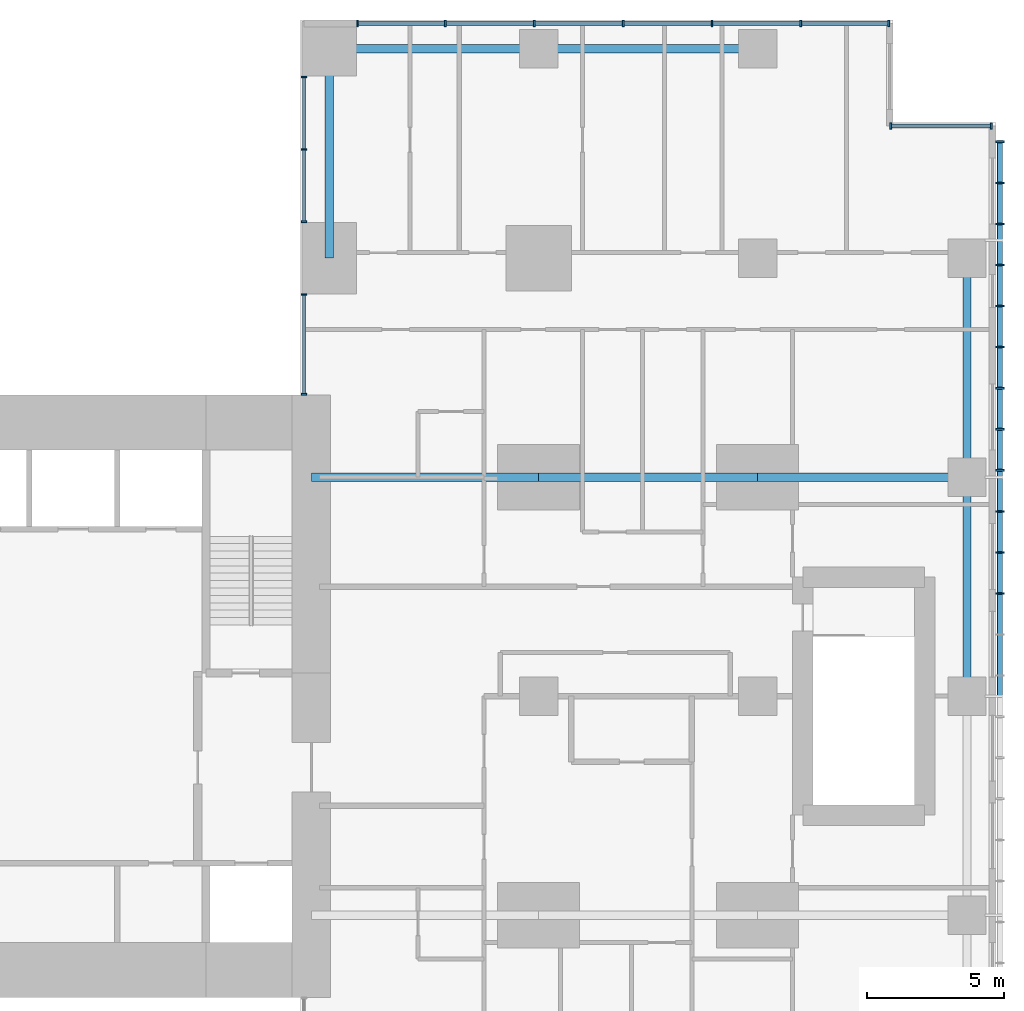
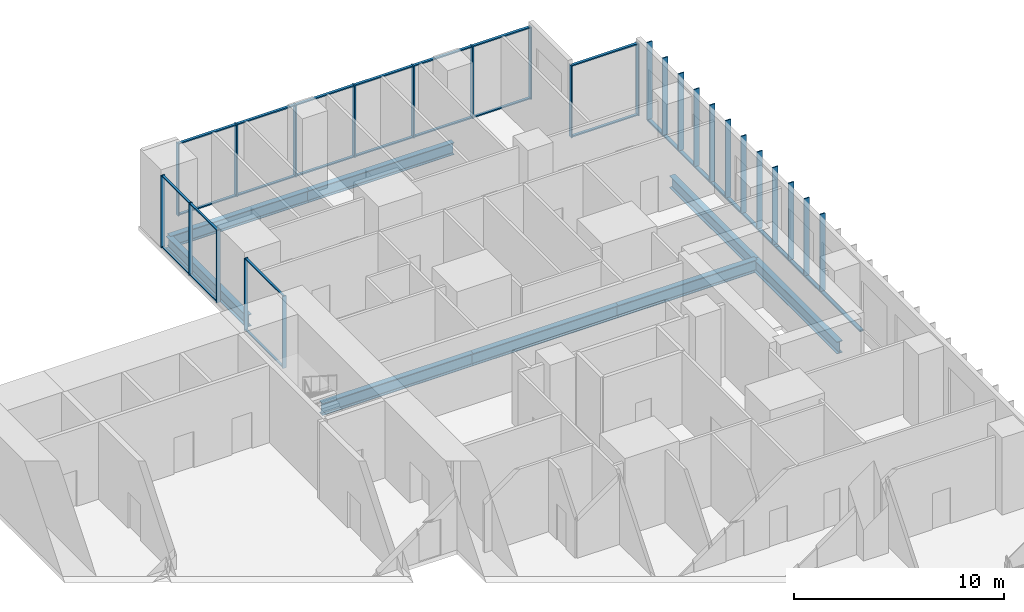
# One storey, part 3 of 11: 48 members, 8 beams, 4 elements without a shape of their own.
"""IFC4 building model written with IfcOpenShell, lengths in metres."""

import ifcopenshell
import ifcopenshell.guid

model = None  # the IFC model being written
_history = None  # IfcOwnerHistory: only IFC2X3 demands one
_inside = {}  # id of a spatial element -> (the spatial element, [elements in it])
_under = {}  # id of a project, library or spatial element -> (it, [spatial elements below it])
_declared = {}  # id of a project -> (the project, [libraries it declares])
_typed = {}  # id of a type object -> (the type object, [elements of that type])
_made_of = {}  # id of a material, layer set ... -> (it, [elements and type objects made of it])


def new_model(schema):
    """Start an empty IFC model of exactly this schema.

    Asked for "IFC4X3", IfcOpenShell would pick the latest addendum, in which some entities
    have other attributes; the version numbers below select the first issue.
    IFC2X3 requires an IfcOwnerHistory on every rooted entity: one is made here for all.
    """
    global model, _history
    if schema == "IFC4X3":
        model = ifcopenshell.file(schema_version=(4, 3, 0, 0))
    else:
        model = ifcopenshell.file(schema=schema)
    _inside.clear()
    _under.clear()
    _declared.clear()
    _typed.clear()
    _made_of.clear()
    _history = None
    if model.schema == "IFC2X3":
        org = make("IfcOrganization", Name="unknown")
        user = make(
            "IfcPersonAndOrganization",
            ThePerson=make("IfcPerson", FamilyName="unknown"),
            TheOrganization=org,
        )
        app = make(
            "IfcApplication",
            ApplicationDeveloper=org,
            Version="unknown",
            ApplicationFullName="unknown",
            ApplicationIdentifier="unknown",
        )
        _history = make(
            "IfcOwnerHistory",
            OwningUser=user,
            OwningApplication=app,
            ChangeAction="ADDED",
            CreationDate=0,
        )
    return model


def make(cls, **values):
    """One entity of the class cls with the attributes given. An attribute that is None is left unset."""
    return model.create_entity(
        cls, **{name: value for name, value in values.items() if value is not None}
    )


def rooted(cls, **values):
    """An entity with a GlobalId (a new one), such as an element, a storey or a relation."""
    return make(cls, GlobalId=ifcopenshell.guid.new(), OwnerHistory=_history, **values)


def si_unit(unit_type, name, prefix=None):
    """IfcSIUnit, for example si_unit("LENGTHUNIT", "METRE", prefix="MILLI")."""
    return make("IfcSIUnit", UnitType=unit_type, Prefix=prefix, Name=name)


def assignment(units):
    """IfcUnitAssignment: the units of a project."""
    return None if units is None else make("IfcUnitAssignment", Units=units)


def point(xyz):
    """IfcCartesianPoint."""
    return None if xyz is None else make("IfcCartesianPoint", Coordinates=xyz)


def direction(xyz):
    """IfcDirection."""
    return None if xyz is None else make("IfcDirection", DirectionRatios=xyz)


def frame(location, z_axis=None, x_axis=None):
    """IfcAxis2Placement3D, a coordinate frame: its origin and axes. An axis left out is left unset."""
    return make(
        "IfcAxis2Placement3D",
        Location=point(location),
        Axis=direction(z_axis),
        RefDirection=direction(x_axis),
    )


def frame_2d(location, x_axis=None):
    """IfcAxis2Placement2D, a coordinate frame in the plane: its origin and x axis."""
    return make(
        "IfcAxis2Placement2D", Location=point(location), RefDirection=direction(x_axis)
    )


def origin():
    """The frame at (0, 0, 0) with its axes left unset."""
    return frame((0.0, 0.0, 0.0))


def origin_2d():
    """The frame at (0, 0) in the plane with its x axis left unset."""
    return frame_2d((0.0, 0.0))


def place(relative_to, where):
    """IfcLocalPlacement: puts the frame where relative to a parent placement (None: the world)."""
    return make(
        "IfcLocalPlacement", PlacementRelTo=relative_to, RelativePlacement=where
    )


def context(
    kind, dimensions, precision=None, world=None, true_north=None, identifier=None
):
    """IfcGeometricRepresentationContext, for example the 3D "Model" context."""
    return make(
        "IfcGeometricRepresentationContext",
        ContextIdentifier=identifier,
        ContextType=kind,
        CoordinateSpaceDimension=dimensions,
        Precision=precision,
        WorldCoordinateSystem=world,
        TrueNorth=true_north,
    )


def subcontext(parent, identifier, kind, view, scale=None):
    """IfcGeometricRepresentationSubContext, for example "Body" below "Model"."""
    return make(
        "IfcGeometricRepresentationSubContext",
        ContextIdentifier=identifier,
        ContextType=kind,
        ParentContext=parent,
        TargetScale=scale,
        TargetView=view,
    )


def project(units=None, contexts=None):
    """IfcProject with its units and contexts."""
    return rooted(
        "IfcProject",
        Name="project",
        RepresentationContexts=contexts,
        UnitsInContext=assignment(units),
    )


def spatial(cls, under=None, at=None, **own):
    """A site, building, storey or space (cls), placed at a placement, below another one or the project."""
    s = rooted(cls, ObjectPlacement=at, **own)
    if under is not None:
        _under.setdefault(under.id(), (under, []))[1].append(s)
    return s


def profile(cls, at=None, kind="AREA", **sizes):
    """A parametric profile (cls). Its sizes go by their IFC names, for example OverallWidth=200.0."""
    return make(cls, ProfileType=kind, Position=at, **sizes)


def rectangle(**sizes):
    """IfcRectangleProfileDef."""
    return profile("IfcRectangleProfileDef", **sizes)


def hollow_rectangle(**sizes):
    """IfcRectangleHollowProfileDef."""
    return profile("IfcRectangleHollowProfileDef", **sizes)


def i_section(**sizes):
    """IfcIShapeProfileDef."""
    return profile("IfcIShapeProfileDef", **sizes)


def extrude(swept, where, along, depth):
    """IfcExtrudedAreaSolid: the profile swept, set in the frame where, extruded along a direction by depth."""
    return make(
        "IfcExtrudedAreaSolid",
        SweptArea=swept,
        Position=where,
        ExtrudedDirection=direction(along),
        Depth=depth,
    )


def shape(context_of_items, identifier, shape_type, items):
    """IfcShapeRepresentation: the items that make up one representation, for example the "Body"."""
    return make(
        "IfcShapeRepresentation",
        ContextOfItems=context_of_items,
        RepresentationIdentifier=identifier,
        RepresentationType=shape_type,
        Items=items,
    )


def material(Name=None, Category=None):
    """IfcMaterial."""
    return make("IfcMaterial", Name=Name, Category=Category)


def layer(
    of_material, thickness, ventilated=None, Name=None, Category=None, Priority=None
):
    """IfcMaterialLayer: one layer of a wall or slab, of a material (None: an air gap)."""
    return make(
        "IfcMaterialLayer",
        Material=of_material,
        LayerThickness=thickness,
        IsVentilated=ventilated,
        Name=Name,
        Category=Category,
        Priority=Priority,
    )


def layer_set(layers, Name=None):
    """IfcMaterialLayerSet."""
    return make("IfcMaterialLayerSet", MaterialLayers=layers, LayerSetName=Name)


def material_profile(
    of_material, cross_section, Name=None, Category=None, Priority=None
):
    """IfcMaterialProfile: a cross section and its material."""
    return make(
        "IfcMaterialProfile",
        Name=Name,
        Material=of_material,
        Profile=cross_section,
        Priority=Priority,
        Category=Category,
    )


def profile_set(profiles, Name=None, composite=None):
    """IfcMaterialProfileSet."""
    return make(
        "IfcMaterialProfileSet",
        Name=Name,
        MaterialProfiles=profiles,
        CompositeProfile=composite,
    )


def made_of(thing, what):
    """Note that an element or type object is made of a material, layer set ...; save() writes the relation."""
    if what is not None:
        _made_of.setdefault(what.id(), (what, []))[1].append(thing)
    return thing


def type_object(cls, material=None, **own):
    """A type object (cls), such as IfcWallType, which elements share."""
    return made_of(rooted(cls, **own), material)


def element(
    cls,
    number,
    at=None,
    inside=None,
    cuts=None,
    type_object=None,
    material=None,
    context=None,
    identifier="Body",
    shape_type=None,
    held_by="IfcProductDefinitionShape",
    body=None,
    shapes=None,
    **own,
):
    """One element of the class cls, such as IfcWall. Its Tag is "e" and its number.

    at: its placement. inside: the storey or other place that contains it. cuts: it is an
    opening in that element (IfcRelVoidsElement). A single representation is given by context,
    identifier, shape_type and body (its items); several are given by shapes. held_by: the class
    of the entity that holds the representations. save() writes the other relations.
    """
    e = rooted(cls, Tag="e%d" % number, ObjectPlacement=at, **own)
    if body is not None:
        shapes = [shape(context, identifier, shape_type, body)]
    if shapes is not None:
        e.Representation = make(held_by, Representations=shapes)
    if inside is not None:
        _inside.setdefault(inside.id(), (inside, []))[1].append(e)
    if cuts is not None:
        rooted(
            "IfcRelVoidsElement", RelatingBuildingElement=cuts, RelatedOpeningElement=e
        )
    if type_object is not None:
        _typed.setdefault(type_object.id(), (type_object, []))[1].append(e)
    return made_of(e, material)


def aggregate(whole, parts):
    """IfcRelAggregates: a whole, such as a stair, and the parts it consists of."""
    return rooted("IfcRelAggregates", RelatingObject=whole, RelatedObjects=parts)


def save(model, path):
    """Write the relations noted so far, then the file.

    IfcRelAggregates (storeys below a building ...), IfcRelContainedInSpatialStructure (elements
    in a storey), IfcRelDefinesByType, IfcRelAssociatesMaterial and IfcRelDeclares: one each for
    every whole, place, type object, material and project.
    """
    for whole, parts in _under.values():
        aggregate(whole, parts)
    for where, things in _inside.values():
        rooted(
            "IfcRelContainedInSpatialStructure",
            RelatedElements=things,
            RelatingStructure=where,
        )
    for kind, things in _typed.values():
        rooted("IfcRelDefinesByType", RelatedObjects=things, RelatingType=kind)
    for what, things in _made_of.values():
        rooted("IfcRelAssociatesMaterial", RelatedObjects=things, RelatingMaterial=what)
    for by, libraries in _declared.values():
        rooted("IfcRelDeclares", RelatingContext=by, RelatedDefinitions=libraries)
    model.write(path)


model = new_model("IFC4")

# Units and contexts
model_context = context("Model", 3, precision=1e-05, world=origin(), true_north=direction((0.0, 1.0)))
body_context = subcontext(model_context, "Body", "Model", "MODEL_VIEW")
ifc_project = project(units=[si_unit("LENGTHUNIT", "METRE"), si_unit("AREAUNIT", "SQUARE_METRE"), si_unit("VOLUMEUNIT", "CUBIC_METRE"), si_unit("PLANEANGLEUNIT", "RADIAN"), si_unit("MASSUNIT", "GRAM", prefix="KILO")], contexts=[model_context])

# Site, building, storey
site_placement = place(None, origin())
site = spatial("IfcSite", under=ifc_project, at=site_placement, CompositionType="ELEMENT")
building_placement = place(site_placement, origin())
building = spatial("IfcBuilding", under=site, at=building_placement, Name="Cleftline Residences", CompositionType="ELEMENT")
storey_placement = place(building_placement, frame((0.0, 0.0, 287.10009765625)))
storey = spatial("IfcBuildingStorey", under=building, at=storey_placement, Name="L75", CompositionType="ELEMENT", Elevation=287.10009765625)

# Members
ifc_material_1 = material(Name="Steel S355, hot-dip galvanised", Category="steel")
ifc_material_profile_1 = material_profile(ifc_material_1, hollow_rectangle(XDim=0.10009765625, YDim=0.199951171875, WallThickness=0.008056640625, InnerFilletRadius=0.008056640625, OuterFilletRadius=0.011962890625, at=origin_2d()))
ifc_profile_set_1 = profile_set([ifc_material_profile_1], Name="Steel S355, hot-dip galvanised")
member_type_1 = type_object("IfcMemberType", Name="BAGUETTE CARRIER RHS 200X100X8", PredefinedType="USERDEFINED", material=ifc_profile_set_1)
member_1_placement = place(storey_placement, frame((66.85009765625, 24.0, -0.050048828125), z_axis=(0.0, 1.0, 0.0), x_axis=(0.0, 0.0, 1.0)))
element("IfcMember", 1, at=member_1_placement, inside=storey, type_object=member_type_1, Name="Baguette carrier", ObjectType="BAGUETTE CARRIER", PredefinedType="USERDEFINED", context=body_context, shape_type="SweptSolid", body=[
    extrude(hollow_rectangle(XDim=0.10009765625, YDim=0.199951171875, WallThickness=0.008056640625, InnerFilletRadius=0.008056640625, OuterFilletRadius=0.011962890625, at=origin_2d()), origin(), (0.0, 0.0, 1.0), 8.0),
])
member_2_placement = place(storey_placement, frame((66.85009765625, 32.0, -0.050048828125), z_axis=(0.0, 1.0, 0.0), x_axis=(0.0, 0.0, 1.0)))
element("IfcMember", 2, at=member_2_placement, inside=storey, type_object=member_type_1, Name="Baguette carrier", ObjectType="BAGUETTE CARRIER", PredefinedType="USERDEFINED", context=body_context, shape_type="SweptSolid", body=[
    extrude(hollow_rectangle(XDim=0.10009765625, YDim=0.199951171875, WallThickness=0.008056640625, InnerFilletRadius=0.008056640625, OuterFilletRadius=0.011962890625, at=origin_2d()), origin(), (0.0, 0.0, 1.0), 12.300048828125),
])

# Beams
ifc_material_2 = material(Name="Steel S355", Category="steel")
ifc_material_profile_2 = material_profile(ifc_material_2, i_section(OverallWidth=0.300048828125, OverallDepth=0.699951171875, WebThickness=0.01708984375, FlangeThickness=0.031982421875, FilletRadius=0.027099609375, at=origin_2d()))
ifc_profile_set_2 = profile_set([ifc_material_profile_2], Name="Steel S355")
beam_type_1 = type_object("IfcBeamType", Name="BEAM HEB 700", PredefinedType="BEAM", material=ifc_profile_set_2)
for number, where, z_axis, x_axis, name in (
    (3, (65.64990234375, 24.0, -0.60009765625), (0.0, 1.0, 0.0), (-1.0, 0.0, 0.0), "Edge beam"),
    (4, (65.64990234375, 32.0, -0.60009765625), (0.0, 1.0, 0.0), (-1.0, 0.0, 0.0), "Edge beam"),
    (5, (58.0, 47.64990234375, -0.60009765625), (-1.0, 0.0, 0.0), (0.0, -1.0, 0.0), "Edge beam"),
):
    element("IfcBeam", number, at=place(storey_placement, frame(where, z_axis=z_axis, x_axis=x_axis)), inside=storey, type_object=beam_type_1, Name=name, PredefinedType="BEAM", context=body_context, shape_type="SweptSolid", body=[
        extrude(i_section(OverallWidth=0.300048828125, OverallDepth=0.699951171875, WebThickness=0.01708984375, FlangeThickness=0.031982421875, FilletRadius=0.027099609375, at=origin_2d()), origin(), (0.0, 0.0, 1.0), 8.0),
    ])
for number, where, z_axis, x_axis, name in (
    (6, (50.0, 47.64990234375, -0.60009765625), (-1.0, 0.0, 0.0), (0.0, -1.0, 0.0), "Edge beam"),
    (7, (42.35009765625, 47.64990234375, -0.60009765625), (0.0, -1.0, 0.0), (1.0, 0.0, 0.0), "Edge beam"),
):
    element("IfcBeam", number, at=place(storey_placement, frame(where, z_axis=z_axis, x_axis=x_axis)), inside=storey, type_object=beam_type_1, Name=name, PredefinedType="BEAM", context=body_context, shape_type="SweptSolid", body=[
        extrude(i_section(OverallWidth=0.300048828125, OverallDepth=0.699951171875, WebThickness=0.01708984375, FlangeThickness=0.031982421875, FilletRadius=0.027099609375, at=origin_2d()), origin(), (0.0, 0.0, 1.0), 7.64990234375),
    ])
ifc_material_3 = material(Name="Steel S355", Category="steel")
ifc_material_profile_3 = material_profile(ifc_material_3, i_section(OverallWidth=0.303955078125, OverallDepth=0.716064453125, WebThickness=0.02099609375, FlangeThickness=0.0400390625, FilletRadius=0.027099609375, at=origin_2d()))
ifc_profile_set_3 = profile_set([ifc_material_profile_3], Name="Steel S355")
beam_type_2 = type_object("IfcBeamType", Name="BEAM HEM 700", PredefinedType="BEAM", material=ifc_profile_set_3)
beam_1_placement = place(storey_placement, frame((65.64990234375, 32.0, -0.608154296875), z_axis=(-1.0, 0.0, 0.0), x_axis=(0.0, -1.0, 0.0)))
element("IfcBeam", 8, at=beam_1_placement, inside=storey, type_object=beam_type_2, Name="Band beam", PredefinedType="BEAM", context=body_context, shape_type="SweptSolid", body=[
    extrude(i_section(OverallWidth=0.303955078125, OverallDepth=0.716064453125, WebThickness=0.02099609375, FlangeThickness=0.0400390625, FilletRadius=0.027099609375, at=origin_2d()), origin(), (0.0, 0.0, 1.0), 7.64990234375),
])
beam_2_placement = place(storey_placement, frame((58.0, 32.0, -0.608154296875), z_axis=(-1.0, 0.0, 0.0), x_axis=(0.0, -1.0, 0.0)))
element("IfcBeam", 9, at=beam_2_placement, inside=storey, type_object=beam_type_2, Name="Band beam", PredefinedType="BEAM", context=body_context, shape_type="SweptSolid", body=[
    extrude(i_section(OverallWidth=0.303955078125, OverallDepth=0.716064453125, WebThickness=0.02099609375, FlangeThickness=0.0400390625, FilletRadius=0.027099609375, at=origin_2d()), origin(), (0.0, 0.0, 1.0), 8.0),
])
beam_3_placement = place(storey_placement, frame((50.0, 32.0, -0.608154296875), z_axis=(-1.0, 0.0, 0.0), x_axis=(0.0, -1.0, 0.0)))
element("IfcBeam", 10, at=beam_3_placement, inside=storey, type_object=beam_type_2, Name="Band beam", PredefinedType="BEAM", context=body_context, shape_type="SweptSolid", body=[
    extrude(i_section(OverallWidth=0.303955078125, OverallDepth=0.716064453125, WebThickness=0.02099609375, FlangeThickness=0.0400390625, FilletRadius=0.027099609375, at=origin_2d()), origin(), (0.0, 0.0, 1.0), 8.300048828125),
])

# Curtain wall, members
ifc_material_4 = material(Name="Aluminium framed curtain wall", Category="aluminium")
ifc_layer_1 = layer(ifc_material_4, 0.199951171875)
ifc_layer_set_1 = layer_set([ifc_layer_1], Name="CW1 CLEFT GLAZING")
curtain_wall_type_1 = type_object("IfcCurtainWallType", Name="CW1 CLEFT GLAZING", PredefinedType="NOTDEFINED", material=ifc_layer_set_1)
curtain_wall_1_placement = place(storey_placement, origin())
curtain_wall_1 = element("IfcCurtainWall", 11, at=curtain_wall_1_placement, inside=storey, type_object=curtain_wall_type_1, Name="Curtain wall CW1", PredefinedType="NOTDEFINED")
ifc_material_5 = material(Name="Aluminium mullion", Category="aluminium")
ifc_material_profile_4 = material_profile(ifc_material_5, rectangle(XDim=0.199951171875, YDim=0.06005859375, at=origin_2d()))
ifc_profile_set_4 = profile_set([ifc_material_profile_4], Name="Aluminium mullion")
member_type_2 = type_object("IfcMemberType", Name="CW1 MULLION", PredefinedType="MULLION", material=ifc_profile_set_4)
member_3_placement = place(storey_placement, frame((41.425048828125, 46.6201171875, 0.0), z_axis=(0.0, 0.0, 1.0), x_axis=(1.0, 0.0, 0.0)))
member_3 = element("IfcMember", 12, at=member_3_placement, type_object=member_type_2, Name="CW1 mullion 1", PredefinedType="MULLION", context=body_context, shape_type="SweptSolid", body=[
    extrude(rectangle(XDim=0.199951171875, YDim=0.06005859375, at=origin_2d()), origin(), (0.0, 0.0, 1.0), 4.199951171875),
])
member_4_placement = place(storey_placement, frame((41.425048828125, 43.97509765625, 0.0), z_axis=(0.0, 0.0, 1.0), x_axis=(1.0, 0.0, 0.0)))
member_4 = element("IfcMember", 13, at=member_4_placement, type_object=member_type_2, Name="CW1 mullion 2", PredefinedType="MULLION", context=body_context, shape_type="SweptSolid", body=[
    extrude(rectangle(XDim=0.199951171875, YDim=0.06005859375, at=origin_2d()), origin(), (0.0, 0.0, 1.0), 4.199951171875),
])
member_5_placement = place(storey_placement, frame((41.425048828125, 41.330078125, 0.0), z_axis=(0.0, 0.0, 1.0), x_axis=(1.0, 0.0, 0.0)))
member_5 = element("IfcMember", 14, at=member_5_placement, type_object=member_type_2, Name="CW1 mullion 3", PredefinedType="MULLION", context=body_context, shape_type="SweptSolid", body=[
    extrude(rectangle(XDim=0.199951171875, YDim=0.06005859375, at=origin_2d()), origin(), (0.0, 0.0, 1.0), 4.199951171875),
])

curtain_wall_2_placement = place(storey_placement, origin())
curtain_wall_2 = element("IfcCurtainWall", 15, at=curtain_wall_2_placement, inside=storey, type_object=curtain_wall_type_1, Name="Curtain wall CW1", PredefinedType="NOTDEFINED")
member_6_placement = place(storey_placement, frame((41.425048828125, 38.669921875, 0.0), z_axis=(0.0, 0.0, 1.0), x_axis=(1.0, 0.0, 0.0)))
member_6 = element("IfcMember", 16, at=member_6_placement, type_object=member_type_2, Name="CW1 mullion 1", PredefinedType="MULLION", context=body_context, shape_type="SweptSolid", body=[
    extrude(rectangle(XDim=0.199951171875, YDim=0.06005859375, at=origin_2d()), origin(), (0.0, 0.0, 1.0), 4.199951171875),
])
member_7_placement = place(storey_placement, frame((41.425048828125, 35.030029296875, 0.0), z_axis=(0.0, 0.0, 1.0), x_axis=(1.0, 0.0, 0.0)))
member_7 = element("IfcMember", 17, at=member_7_placement, type_object=member_type_2, Name="CW1 mullion 2", PredefinedType="MULLION", context=body_context, shape_type="SweptSolid", body=[
    extrude(rectangle(XDim=0.199951171875, YDim=0.06005859375, at=origin_2d()), origin(), (0.0, 0.0, 1.0), 4.199951171875),
])

# Member
ifc_material_6 = material(Name="Aluminium transom", Category="aluminium")
ifc_material_profile_5 = material_profile(ifc_material_6, rectangle(XDim=0.1201171875, YDim=0.06005859375, at=origin_2d()))
ifc_profile_set_5 = profile_set([ifc_material_profile_5], Name="Aluminium transom")
member_type_3 = type_object("IfcMemberType", Name="CW1 TRANSOM", PredefinedType="USERDEFINED", material=ifc_profile_set_5)
member_8_placement = place(storey_placement, frame((41.425048828125, 46.590087890625, 0.02978515625), z_axis=(0.0, -1.0, 0.0), x_axis=(1.0, 0.0, 0.0)))
member_8 = element("IfcMember", 18, at=member_8_placement, type_object=member_type_3, Name="CW1 transom 1.1", ObjectType="TRANSOM", PredefinedType="USERDEFINED", context=body_context, shape_type="SweptSolid", body=[
    extrude(rectangle(XDim=0.1201171875, YDim=0.06005859375, at=origin_2d()), origin(), (0.0, 0.0, 1.0), 2.585205078125),
])

member_9_placement = place(storey_placement, frame((41.425048828125, 46.590087890625, 4.169921875), z_axis=(0.0, -1.0, 0.0), x_axis=(1.0, 0.0, 0.0)))
member_9 = element("IfcMember", 19, at=member_9_placement, type_object=member_type_3, Name="CW1 transom 1.2", ObjectType="TRANSOM", PredefinedType="USERDEFINED", context=body_context, shape_type="SweptSolid", body=[
    extrude(rectangle(XDim=0.1201171875, YDim=0.06005859375, at=origin_2d()), origin(), (0.0, 0.0, 1.0), 2.585205078125),
])

member_10_placement = place(storey_placement, frame((41.425048828125, 43.945068359375, 0.02978515625), z_axis=(0.0, -1.0, 0.0), x_axis=(1.0, 0.0, 0.0)))
member_10 = element("IfcMember", 20, at=member_10_placement, type_object=member_type_3, Name="CW1 transom 2.1", ObjectType="TRANSOM", PredefinedType="USERDEFINED", context=body_context, shape_type="SweptSolid", body=[
    extrude(rectangle(XDim=0.1201171875, YDim=0.06005859375, at=origin_2d()), origin(), (0.0, 0.0, 1.0), 2.5849609375),
])

member_11_placement = place(storey_placement, frame((41.425048828125, 43.945068359375, 4.169921875), z_axis=(0.0, -1.0, 0.0), x_axis=(1.0, 0.0, 0.0)))
member_11 = element("IfcMember", 21, at=member_11_placement, type_object=member_type_3, Name="CW1 transom 2.2", ObjectType="TRANSOM", PredefinedType="USERDEFINED", context=body_context, shape_type="SweptSolid", body=[
    extrude(rectangle(XDim=0.1201171875, YDim=0.06005859375, at=origin_2d()), origin(), (0.0, 0.0, 1.0), 2.5849609375),
])

aggregate(curtain_wall_1, [member_3, member_4, member_5, member_8, member_9, member_10, member_11])

member_12_placement = place(storey_placement, frame((41.425048828125, 38.639892578125, 0.02978515625), z_axis=(0.0, -1.0, 0.0), x_axis=(1.0, 0.0, 0.0)))
member_12 = element("IfcMember", 22, at=member_12_placement, type_object=member_type_3, Name="CW1 transom 1.1", ObjectType="TRANSOM", PredefinedType="USERDEFINED", context=body_context, shape_type="SweptSolid", body=[
    extrude(rectangle(XDim=0.1201171875, YDim=0.06005859375, at=origin_2d()), origin(), (0.0, 0.0, 1.0), 3.579833984375),
])

member_13_placement = place(storey_placement, frame((41.425048828125, 38.639892578125, 4.169921875), z_axis=(0.0, -1.0, 0.0), x_axis=(1.0, 0.0, 0.0)))
member_13 = element("IfcMember", 23, at=member_13_placement, type_object=member_type_3, Name="CW1 transom 1.2", ObjectType="TRANSOM", PredefinedType="USERDEFINED", context=body_context, shape_type="SweptSolid", body=[
    extrude(rectangle(XDim=0.1201171875, YDim=0.06005859375, at=origin_2d()), origin(), (0.0, 0.0, 1.0), 3.579833984375),
])

aggregate(curtain_wall_2, [member_6, member_7, member_12, member_13])

# Curtain wall, members
ifc_material_7 = material(Name="Aluminium framed curtain wall", Category="aluminium")
ifc_layer_2 = layer(ifc_material_7, 0.199951171875)
ifc_layer_set_2 = layer_set([ifc_layer_2], Name="CW5 PENTHOUSE GLAZING")
curtain_wall_type_2 = type_object("IfcCurtainWallType", Name="CW5 PENTHOUSE GLAZING", PredefinedType="NOTDEFINED", material=ifc_layer_set_2)
curtain_wall_3_placement = place(storey_placement, origin())
curtain_wall_3 = element("IfcCurtainWall", 24, at=curtain_wall_3_placement, inside=storey, type_object=curtain_wall_type_2, Name="Curtain wall CW5", PredefinedType="NOTDEFINED")
ifc_material_8 = material(Name="Aluminium mullion", Category="aluminium")
ifc_material_profile_6 = material_profile(ifc_material_8, rectangle(XDim=0.239990234375, YDim=0.070068359375, at=origin_2d()))
ifc_profile_set_6 = profile_set([ifc_material_profile_6], Name="Aluminium mullion")
member_type_4 = type_object("IfcMemberType", Name="CW5 MULLION", PredefinedType="MULLION", material=ifc_profile_set_6)
member_14_placement = place(storey_placement, frame((66.5400390625, 44.824951171875, 0.0), z_axis=(0.0, 0.0, 1.0), x_axis=(0.0, -1.0, 0.0)))
member_14 = element("IfcMember", 25, at=member_14_placement, type_object=member_type_4, Name="CW5 mullion 1", PredefinedType="MULLION", context=body_context, shape_type="SweptSolid", body=[
    extrude(rectangle(XDim=0.239990234375, YDim=0.070068359375, at=origin_2d()), origin(), (0.0, 0.0, 1.0), 4.199951171875),
])
member_15_placement = place(storey_placement, frame((62.860107421875, 44.824951171875, 0.0), z_axis=(0.0, 0.0, 1.0), x_axis=(0.0, -1.0, 0.0)))
member_15 = element("IfcMember", 26, at=member_15_placement, type_object=member_type_4, Name="CW5 mullion 2", PredefinedType="MULLION", context=body_context, shape_type="SweptSolid", body=[
    extrude(rectangle(XDim=0.239990234375, YDim=0.070068359375, at=origin_2d()), origin(), (0.0, 0.0, 1.0), 4.199951171875),
])

curtain_wall_4_placement = place(storey_placement, origin())
curtain_wall_4 = element("IfcCurtainWall", 27, at=curtain_wall_4_placement, inside=storey, type_object=curtain_wall_type_2, Name="Curtain wall CW5", PredefinedType="NOTDEFINED")
member_16_placement = place(storey_placement, frame((62.7900390625, 48.574951171875, 0.0), z_axis=(0.0, 0.0, 1.0), x_axis=(0.0, -1.0, 0.0)))
member_16 = element("IfcMember", 28, at=member_16_placement, type_object=member_type_4, Name="CW5 mullion 1", PredefinedType="MULLION", context=body_context, shape_type="SweptSolid", body=[
    extrude(rectangle(XDim=0.239990234375, YDim=0.070068359375, at=origin_2d()), origin(), (0.0, 0.0, 1.0), 4.199951171875),
])
member_17_placement = place(storey_placement, frame((59.5791015625, 48.574951171875, 0.0), z_axis=(0.0, 0.0, 1.0), x_axis=(0.0, -1.0, 0.0)))
member_17 = element("IfcMember", 29, at=member_17_placement, type_object=member_type_4, Name="CW5 mullion 2", PredefinedType="MULLION", context=body_context, shape_type="SweptSolid", body=[
    extrude(rectangle(XDim=0.239990234375, YDim=0.070068359375, at=origin_2d()), origin(), (0.0, 0.0, 1.0), 4.199951171875),
])
member_18_placement = place(storey_placement, frame((56.333251953125, 48.574951171875, 0.0), z_axis=(0.0, 0.0, 1.0), x_axis=(0.0, -1.0, 0.0)))
member_18 = element("IfcMember", 30, at=member_18_placement, type_object=member_type_4, Name="CW5 mullion 3", PredefinedType="MULLION", context=body_context, shape_type="SweptSolid", body=[
    extrude(rectangle(XDim=0.239990234375, YDim=0.070068359375, at=origin_2d()), origin(), (0.0, 0.0, 1.0), 4.199951171875),
])
member_19_placement = place(storey_placement, frame((53.08740234375, 48.574951171875, 0.0), z_axis=(0.0, 0.0, 1.0), x_axis=(0.0, -1.0, 0.0)))
member_19 = element("IfcMember", 31, at=member_19_placement, type_object=member_type_4, Name="CW5 mullion 4", PredefinedType="MULLION", context=body_context, shape_type="SweptSolid", body=[
    extrude(rectangle(XDim=0.239990234375, YDim=0.070068359375, at=origin_2d()), origin(), (0.0, 0.0, 1.0), 4.199951171875),
])
member_20_placement = place(storey_placement, frame((49.841552734375, 48.574951171875, 0.0), z_axis=(0.0, 0.0, 1.0), x_axis=(0.0, -1.0, 0.0)))
member_20 = element("IfcMember", 32, at=member_20_placement, type_object=member_type_4, Name="CW5 mullion 5", PredefinedType="MULLION", context=body_context, shape_type="SweptSolid", body=[
    extrude(rectangle(XDim=0.239990234375, YDim=0.070068359375, at=origin_2d()), origin(), (0.0, 0.0, 1.0), 4.199951171875),
])
member_21_placement = place(storey_placement, frame((46.595947265625, 48.574951171875, 0.0), z_axis=(0.0, 0.0, 1.0), x_axis=(0.0, -1.0, 0.0)))
member_21 = element("IfcMember", 33, at=member_21_placement, type_object=member_type_4, Name="CW5 mullion 6", PredefinedType="MULLION", context=body_context, shape_type="SweptSolid", body=[
    extrude(rectangle(XDim=0.239990234375, YDim=0.070068359375, at=origin_2d()), origin(), (0.0, 0.0, 1.0), 4.199951171875),
])
member_22_placement = place(storey_placement, frame((43.385009765625, 48.574951171875, 0.0), z_axis=(0.0, 0.0, 1.0), x_axis=(0.0, -1.0, 0.0)))
member_22 = element("IfcMember", 34, at=member_22_placement, type_object=member_type_4, Name="CW5 mullion 7", PredefinedType="MULLION", context=body_context, shape_type="SweptSolid", body=[
    extrude(rectangle(XDim=0.239990234375, YDim=0.070068359375, at=origin_2d()), origin(), (0.0, 0.0, 1.0), 4.199951171875),
])

# Member
ifc_material_9 = material(Name="Aluminium transom", Category="aluminium")
ifc_material_profile_7 = material_profile(ifc_material_9, rectangle(XDim=0.14404296875, YDim=0.070068359375, at=origin_2d()))
ifc_profile_set_7 = profile_set([ifc_material_profile_7], Name="Aluminium transom")
member_type_5 = type_object("IfcMemberType", Name="CW5 TRANSOM", PredefinedType="USERDEFINED", material=ifc_profile_set_7)
member_23_placement = place(storey_placement, frame((66.5048828125, 44.824951171875, 0.034912109375), z_axis=(-1.0, 0.0, 0.0), x_axis=(0.0, -1.0, 0.0)))
member_23 = element("IfcMember", 35, at=member_23_placement, type_object=member_type_5, Name="CW5 transom 1.1", ObjectType="TRANSOM", PredefinedType="USERDEFINED", context=body_context, shape_type="SweptSolid", body=[
    extrude(rectangle(XDim=0.14404296875, YDim=0.070068359375, at=origin_2d()), origin(), (0.0, 0.0, 1.0), 3.60986328125),
])

member_24_placement = place(storey_placement, frame((66.5048828125, 44.824951171875, 4.164794921875), z_axis=(-1.0, 0.0, 0.0), x_axis=(0.0, -1.0, 0.0)))
member_24 = element("IfcMember", 36, at=member_24_placement, type_object=member_type_5, Name="CW5 transom 1.2", ObjectType="TRANSOM", PredefinedType="USERDEFINED", context=body_context, shape_type="SweptSolid", body=[
    extrude(rectangle(XDim=0.14404296875, YDim=0.070068359375, at=origin_2d()), origin(), (0.0, 0.0, 1.0), 3.60986328125),
])

aggregate(curtain_wall_3, [member_14, member_15, member_23, member_24])

member_25_placement = place(storey_placement, frame((62.7548828125, 48.574951171875, 0.034912109375), z_axis=(-1.0, 0.0, 0.0), x_axis=(0.0, -1.0, 0.0)))
member_25 = element("IfcMember", 37, at=member_25_placement, type_object=member_type_5, Name="CW5 transom 1.1", ObjectType="TRANSOM", PredefinedType="USERDEFINED", context=body_context, shape_type="SweptSolid", body=[
    extrude(rectangle(XDim=0.14404296875, YDim=0.070068359375, at=origin_2d()), origin(), (0.0, 0.0, 1.0), 3.140625),
])

member_26_placement = place(storey_placement, frame((62.7548828125, 48.574951171875, 4.164794921875), z_axis=(-1.0, 0.0, 0.0), x_axis=(0.0, -1.0, 0.0)))
member_26 = element("IfcMember", 38, at=member_26_placement, type_object=member_type_5, Name="CW5 transom 1.2", ObjectType="TRANSOM", PredefinedType="USERDEFINED", context=body_context, shape_type="SweptSolid", body=[
    extrude(rectangle(XDim=0.14404296875, YDim=0.070068359375, at=origin_2d()), origin(), (0.0, 0.0, 1.0), 3.140625),
])

member_27_placement = place(storey_placement, frame((59.544189453125, 48.574951171875, 0.034912109375), z_axis=(-1.0, 0.0, 0.0), x_axis=(0.0, -1.0, 0.0)))
member_27 = element("IfcMember", 39, at=member_27_placement, type_object=member_type_5, Name="CW5 transom 2.1", ObjectType="TRANSOM", PredefinedType="USERDEFINED", context=body_context, shape_type="SweptSolid", body=[
    extrude(rectangle(XDim=0.14404296875, YDim=0.070068359375, at=origin_2d()), origin(), (0.0, 0.0, 1.0), 3.17578125),
])

member_28_placement = place(storey_placement, frame((59.544189453125, 48.574951171875, 4.164794921875), z_axis=(-1.0, 0.0, 0.0), x_axis=(0.0, -1.0, 0.0)))
member_28 = element("IfcMember", 40, at=member_28_placement, type_object=member_type_5, Name="CW5 transom 2.2", ObjectType="TRANSOM", PredefinedType="USERDEFINED", context=body_context, shape_type="SweptSolid", body=[
    extrude(rectangle(XDim=0.14404296875, YDim=0.070068359375, at=origin_2d()), origin(), (0.0, 0.0, 1.0), 3.17578125),
])

member_29_placement = place(storey_placement, frame((56.29833984375, 48.574951171875, 0.034912109375), z_axis=(-1.0, 0.0, 0.0), x_axis=(0.0, -1.0, 0.0)))
member_29 = element("IfcMember", 41, at=member_29_placement, type_object=member_type_5, Name="CW5 transom 3.1", ObjectType="TRANSOM", PredefinedType="USERDEFINED", context=body_context, shape_type="SweptSolid", body=[
    extrude(rectangle(XDim=0.14404296875, YDim=0.070068359375, at=origin_2d()), origin(), (0.0, 0.0, 1.0), 3.17578125),
])

member_30_placement = place(storey_placement, frame((56.29833984375, 48.574951171875, 4.164794921875), z_axis=(-1.0, 0.0, 0.0), x_axis=(0.0, -1.0, 0.0)))
member_30 = element("IfcMember", 42, at=member_30_placement, type_object=member_type_5, Name="CW5 transom 3.2", ObjectType="TRANSOM", PredefinedType="USERDEFINED", context=body_context, shape_type="SweptSolid", body=[
    extrude(rectangle(XDim=0.14404296875, YDim=0.070068359375, at=origin_2d()), origin(), (0.0, 0.0, 1.0), 3.17578125),
])

member_31_placement = place(storey_placement, frame((53.052490234375, 48.574951171875, 0.034912109375), z_axis=(-1.0, 0.0, 0.0), x_axis=(0.0, -1.0, 0.0)))
member_31 = element("IfcMember", 43, at=member_31_placement, type_object=member_type_5, Name="CW5 transom 4.1", ObjectType="TRANSOM", PredefinedType="USERDEFINED", context=body_context, shape_type="SweptSolid", body=[
    extrude(rectangle(XDim=0.14404296875, YDim=0.070068359375, at=origin_2d()), origin(), (0.0, 0.0, 1.0), 3.17578125),
])

member_32_placement = place(storey_placement, frame((53.052490234375, 48.574951171875, 4.164794921875), z_axis=(-1.0, 0.0, 0.0), x_axis=(0.0, -1.0, 0.0)))
member_32 = element("IfcMember", 44, at=member_32_placement, type_object=member_type_5, Name="CW5 transom 4.2", ObjectType="TRANSOM", PredefinedType="USERDEFINED", context=body_context, shape_type="SweptSolid", body=[
    extrude(rectangle(XDim=0.14404296875, YDim=0.070068359375, at=origin_2d()), origin(), (0.0, 0.0, 1.0), 3.17578125),
])

member_33_placement = place(storey_placement, frame((49.806640625, 48.574951171875, 0.034912109375), z_axis=(-1.0, 0.0, 0.0), x_axis=(0.0, -1.0, 0.0)))
member_33 = element("IfcMember", 45, at=member_33_placement, type_object=member_type_5, Name="CW5 transom 5.1", ObjectType="TRANSOM", PredefinedType="USERDEFINED", context=body_context, shape_type="SweptSolid", body=[
    extrude(rectangle(XDim=0.14404296875, YDim=0.070068359375, at=origin_2d()), origin(), (0.0, 0.0, 1.0), 3.17578125),
])

member_34_placement = place(storey_placement, frame((49.806640625, 48.574951171875, 4.164794921875), z_axis=(-1.0, 0.0, 0.0), x_axis=(0.0, -1.0, 0.0)))
member_34 = element("IfcMember", 46, at=member_34_placement, type_object=member_type_5, Name="CW5 transom 5.2", ObjectType="TRANSOM", PredefinedType="USERDEFINED", context=body_context, shape_type="SweptSolid", body=[
    extrude(rectangle(XDim=0.14404296875, YDim=0.070068359375, at=origin_2d()), origin(), (0.0, 0.0, 1.0), 3.17578125),
])

member_35_placement = place(storey_placement, frame((46.560791015625, 48.574951171875, 0.034912109375), z_axis=(-1.0, 0.0, 0.0), x_axis=(0.0, -1.0, 0.0)))
member_35 = element("IfcMember", 47, at=member_35_placement, type_object=member_type_5, Name="CW5 transom 6.1", ObjectType="TRANSOM", PredefinedType="USERDEFINED", context=body_context, shape_type="SweptSolid", body=[
    extrude(rectangle(XDim=0.14404296875, YDim=0.070068359375, at=origin_2d()), origin(), (0.0, 0.0, 1.0), 3.140869140625),
])

member_36_placement = place(storey_placement, frame((46.560791015625, 48.574951171875, 4.164794921875), z_axis=(-1.0, 0.0, 0.0), x_axis=(0.0, -1.0, 0.0)))
member_36 = element("IfcMember", 48, at=member_36_placement, type_object=member_type_5, Name="CW5 transom 6.2", ObjectType="TRANSOM", PredefinedType="USERDEFINED", context=body_context, shape_type="SweptSolid", body=[
    extrude(rectangle(XDim=0.14404296875, YDim=0.070068359375, at=origin_2d()), origin(), (0.0, 0.0, 1.0), 3.140869140625),
])

aggregate(curtain_wall_4, [member_16, member_17, member_18, member_19, member_20, member_21, member_22, member_25, member_26, member_27, member_28, member_29, member_30, member_31, member_32, member_33, member_34, member_35, member_36])

# Members
ifc_material_10 = material(Name="Extruded terracotta", Category="masonry")
ifc_material_profile_8 = material_profile(ifc_material_10, rectangle(XDim=0.06005859375, YDim=0.300048828125, at=origin_2d()))
ifc_profile_set_8 = profile_set([ifc_material_profile_8], Name="Extruded terracotta")
member_type_6 = type_object("IfcMemberType", Name="TERRACOTTA BAGUETTE 60X300", PredefinedType="USERDEFINED", material=ifc_profile_set_8)
for number, where, z_axis, x_axis, name in (
    (49, (66.85009765625, 27.75, 0.0), (0.0, 0.0, 1.0), (0.0, 1.0, 0.0), "Terracotta baguette"),
    (50, (66.85009765625, 29.25, 0.0), (0.0, 0.0, 1.0), (0.0, 1.0, 0.0), "Terracotta baguette"),
    (51, (66.85009765625, 30.75, 0.0), (0.0, 0.0, 1.0), (0.0, 1.0, 0.0), "Terracotta baguette"),
    (52, (66.85009765625, 32.25, 0.0), (0.0, 0.0, 1.0), (0.0, 1.0, 0.0), "Terracotta baguette"),
    (53, (66.85009765625, 33.75, 0.0), (0.0, 0.0, 1.0), (0.0, 1.0, 0.0), "Terracotta baguette"),
    (54, (66.85009765625, 35.25, 0.0), (0.0, 0.0, 1.0), (0.0, 1.0, 0.0), "Terracotta baguette"),
    (55, (66.85009765625, 36.75, 0.0), (0.0, 0.0, 1.0), (0.0, 1.0, 0.0), "Terracotta baguette"),
    (56, (66.85009765625, 38.25, 0.0), (0.0, 0.0, 1.0), (0.0, 1.0, 0.0), "Terracotta baguette"),
    (57, (66.85009765625, 39.75, 0.0), (0.0, 0.0, 1.0), (0.0, 1.0, 0.0), "Terracotta baguette"),
    (58, (66.85009765625, 41.25, 0.0), (0.0, 0.0, 1.0), (0.0, 1.0, 0.0), "Terracotta baguette"),
    (59, (66.85009765625, 42.75, 0.0), (0.0, 0.0, 1.0), (0.0, 1.0, 0.0), "Terracotta baguette"),
    (60, (66.85009765625, 44.25, 0.0), (0.0, 0.0, 1.0), (0.0, 1.0, 0.0), "Terracotta baguette"),
):
    element("IfcMember", number, at=place(storey_placement, frame(where, z_axis=z_axis, x_axis=x_axis)), inside=storey, type_object=member_type_6, Name=name, ObjectType="BAGUETTE", PredefinedType="USERDEFINED", context=body_context, shape_type="SweptSolid", body=[
        extrude(rectangle(XDim=0.06005859375, YDim=0.300048828125, at=origin_2d()), origin(), (0.0, 0.0, 1.0), 4.5),
    ])

save(model, "model.ifc")
